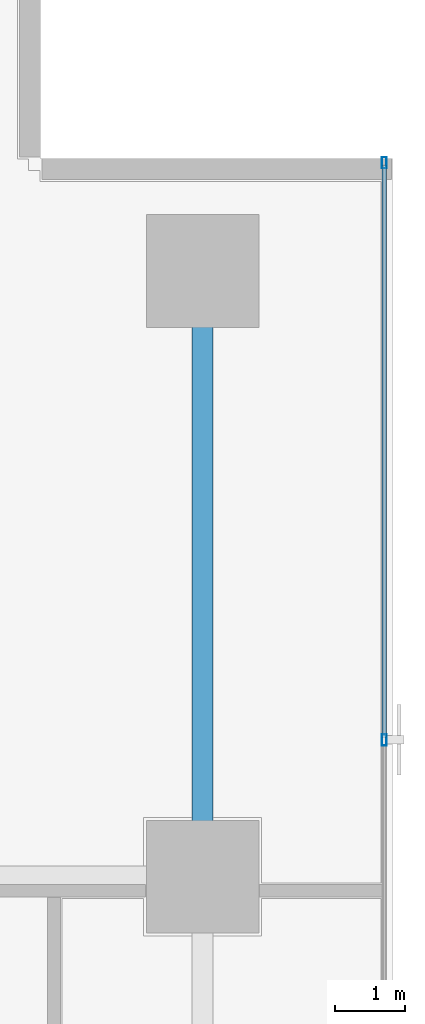
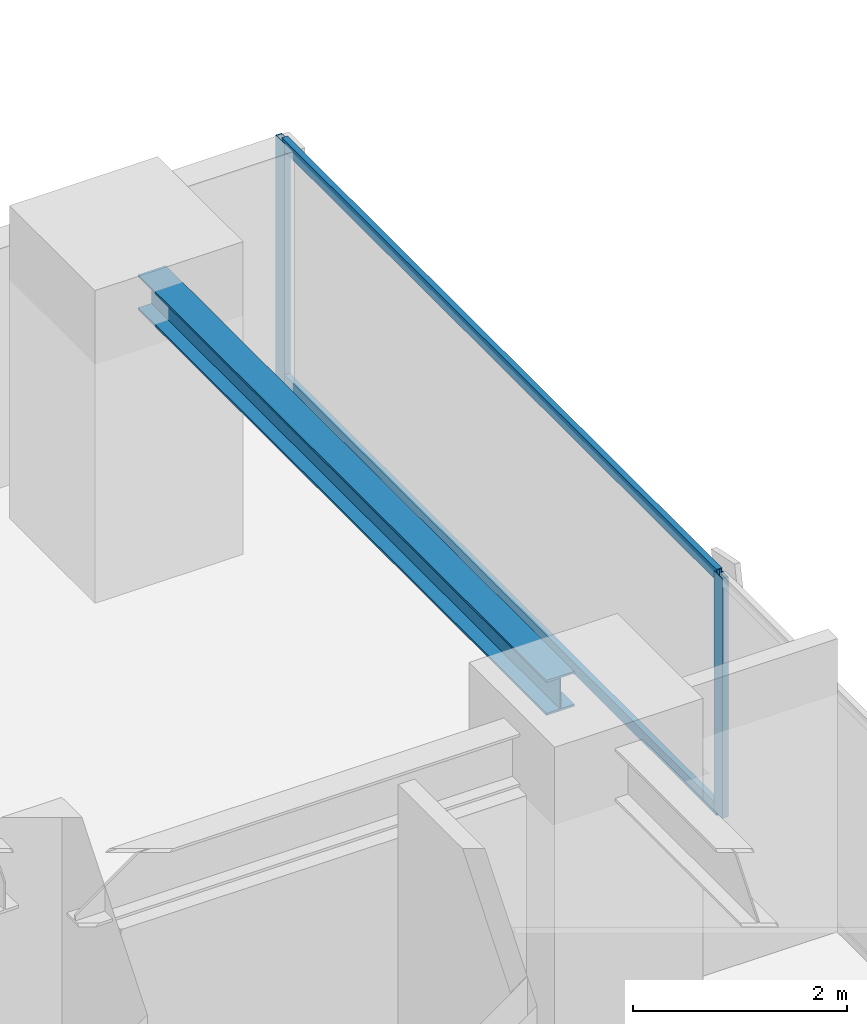
# One storey, part 24 of 37: 4 members, 1 beam, 1 element without a shape of its own.
"""IFC4 building model written with IfcOpenShell, lengths in metres."""

import ifcopenshell
import ifcopenshell.guid

model = None  # the IFC model being written
_history = None  # IfcOwnerHistory: only IFC2X3 demands one
_inside = {}  # id of a spatial element -> (the spatial element, [elements in it])
_under = {}  # id of a project, library or spatial element -> (it, [spatial elements below it])
_declared = {}  # id of a project -> (the project, [libraries it declares])
_typed = {}  # id of a type object -> (the type object, [elements of that type])
_made_of = {}  # id of a material, layer set ... -> (it, [elements and type objects made of it])


def new_model(schema):
    """Start an empty IFC model of exactly this schema.

    Asked for "IFC4X3", IfcOpenShell would pick the latest addendum, in which some entities
    have other attributes; the version numbers below select the first issue.
    IFC2X3 requires an IfcOwnerHistory on every rooted entity: one is made here for all.
    """
    global model, _history
    if schema == "IFC4X3":
        model = ifcopenshell.file(schema_version=(4, 3, 0, 0))
    else:
        model = ifcopenshell.file(schema=schema)
    _inside.clear()
    _under.clear()
    _declared.clear()
    _typed.clear()
    _made_of.clear()
    _history = None
    if model.schema == "IFC2X3":
        org = make("IfcOrganization", Name="unknown")
        user = make(
            "IfcPersonAndOrganization",
            ThePerson=make("IfcPerson", FamilyName="unknown"),
            TheOrganization=org,
        )
        app = make(
            "IfcApplication",
            ApplicationDeveloper=org,
            Version="unknown",
            ApplicationFullName="unknown",
            ApplicationIdentifier="unknown",
        )
        _history = make(
            "IfcOwnerHistory",
            OwningUser=user,
            OwningApplication=app,
            ChangeAction="ADDED",
            CreationDate=0,
        )
    return model


def make(cls, **values):
    """One entity of the class cls with the attributes given. An attribute that is None is left unset."""
    return model.create_entity(
        cls, **{name: value for name, value in values.items() if value is not None}
    )


def rooted(cls, **values):
    """An entity with a GlobalId (a new one), such as an element, a storey or a relation."""
    return make(cls, GlobalId=ifcopenshell.guid.new(), OwnerHistory=_history, **values)


def si_unit(unit_type, name, prefix=None):
    """IfcSIUnit, for example si_unit("LENGTHUNIT", "METRE", prefix="MILLI")."""
    return make("IfcSIUnit", UnitType=unit_type, Prefix=prefix, Name=name)


def assignment(units):
    """IfcUnitAssignment: the units of a project."""
    return None if units is None else make("IfcUnitAssignment", Units=units)


def point(xyz):
    """IfcCartesianPoint."""
    return None if xyz is None else make("IfcCartesianPoint", Coordinates=xyz)


def direction(xyz):
    """IfcDirection."""
    return None if xyz is None else make("IfcDirection", DirectionRatios=xyz)


def frame(location, z_axis=None, x_axis=None):
    """IfcAxis2Placement3D, a coordinate frame: its origin and axes. An axis left out is left unset."""
    return make(
        "IfcAxis2Placement3D",
        Location=point(location),
        Axis=direction(z_axis),
        RefDirection=direction(x_axis),
    )


def frame_2d(location, x_axis=None):
    """IfcAxis2Placement2D, a coordinate frame in the plane: its origin and x axis."""
    return make(
        "IfcAxis2Placement2D", Location=point(location), RefDirection=direction(x_axis)
    )


def origin():
    """The frame at (0, 0, 0) with its axes left unset."""
    return frame((0.0, 0.0, 0.0))


def origin_2d():
    """The frame at (0, 0) in the plane with its x axis left unset."""
    return frame_2d((0.0, 0.0))


def place(relative_to, where):
    """IfcLocalPlacement: puts the frame where relative to a parent placement (None: the world)."""
    return make(
        "IfcLocalPlacement", PlacementRelTo=relative_to, RelativePlacement=where
    )


def context(
    kind, dimensions, precision=None, world=None, true_north=None, identifier=None
):
    """IfcGeometricRepresentationContext, for example the 3D "Model" context."""
    return make(
        "IfcGeometricRepresentationContext",
        ContextIdentifier=identifier,
        ContextType=kind,
        CoordinateSpaceDimension=dimensions,
        Precision=precision,
        WorldCoordinateSystem=world,
        TrueNorth=true_north,
    )


def subcontext(parent, identifier, kind, view, scale=None):
    """IfcGeometricRepresentationSubContext, for example "Body" below "Model"."""
    return make(
        "IfcGeometricRepresentationSubContext",
        ContextIdentifier=identifier,
        ContextType=kind,
        ParentContext=parent,
        TargetScale=scale,
        TargetView=view,
    )


def project(units=None, contexts=None):
    """IfcProject with its units and contexts."""
    return rooted(
        "IfcProject",
        Name="project",
        RepresentationContexts=contexts,
        UnitsInContext=assignment(units),
    )


def spatial(cls, under=None, at=None, **own):
    """A site, building, storey or space (cls), placed at a placement, below another one or the project."""
    s = rooted(cls, ObjectPlacement=at, **own)
    if under is not None:
        _under.setdefault(under.id(), (under, []))[1].append(s)
    return s


def profile(cls, at=None, kind="AREA", **sizes):
    """A parametric profile (cls). Its sizes go by their IFC names, for example OverallWidth=200.0."""
    return make(cls, ProfileType=kind, Position=at, **sizes)


def hollow_rectangle(**sizes):
    """IfcRectangleHollowProfileDef."""
    return profile("IfcRectangleHollowProfileDef", **sizes)


def i_section(**sizes):
    """IfcIShapeProfileDef."""
    return profile("IfcIShapeProfileDef", **sizes)


def extrude(swept, where, along, depth):
    """IfcExtrudedAreaSolid: the profile swept, set in the frame where, extruded along a direction by depth."""
    return make(
        "IfcExtrudedAreaSolid",
        SweptArea=swept,
        Position=where,
        ExtrudedDirection=direction(along),
        Depth=depth,
    )


def shape(context_of_items, identifier, shape_type, items):
    """IfcShapeRepresentation: the items that make up one representation, for example the "Body"."""
    return make(
        "IfcShapeRepresentation",
        ContextOfItems=context_of_items,
        RepresentationIdentifier=identifier,
        RepresentationType=shape_type,
        Items=items,
    )


def source(mapping_origin, context_of_items, identifier, shape_type, items):
    """IfcRepresentationMap: a shape defined once, which mapped items show again and again."""
    return make(
        "IfcRepresentationMap",
        MappingOrigin=mapping_origin,
        MappedRepresentation=shape(context_of_items, identifier, shape_type, items),
    )


def transform(
    local_origin,
    x_axis=None,
    y_axis=None,
    z_axis=None,
    scale=None,
    scale2=None,
    scale3=None,
    uniform=True,
):
    """IfcCartesianTransformationOperator3D, or its non-uniform kind. x_axis, y_axis, z_axis: its Axis1, 2, 3."""
    if uniform:
        return make(
            "IfcCartesianTransformationOperator3D",
            Axis1=direction(x_axis),
            Axis2=direction(y_axis),
            LocalOrigin=point(local_origin),
            Scale=scale,
            Axis3=direction(z_axis),
        )
    return make(
        "IfcCartesianTransformationOperator3DnonUniform",
        Axis1=direction(x_axis),
        Axis2=direction(y_axis),
        LocalOrigin=point(local_origin),
        Scale=scale,
        Axis3=direction(z_axis),
        Scale2=scale2,
        Scale3=scale3,
    )


def mapped(mapping_source, mapping_target):
    """IfcMappedItem: shows the shape of a source again, moved by a transform."""
    return make(
        "IfcMappedItem", MappingSource=mapping_source, MappingTarget=mapping_target
    )


def material(Name=None, Category=None):
    """IfcMaterial."""
    return make("IfcMaterial", Name=Name, Category=Category)


def layer(
    of_material, thickness, ventilated=None, Name=None, Category=None, Priority=None
):
    """IfcMaterialLayer: one layer of a wall or slab, of a material (None: an air gap)."""
    return make(
        "IfcMaterialLayer",
        Material=of_material,
        LayerThickness=thickness,
        IsVentilated=ventilated,
        Name=Name,
        Category=Category,
        Priority=Priority,
    )


def layer_set(layers, Name=None):
    """IfcMaterialLayerSet."""
    return make("IfcMaterialLayerSet", MaterialLayers=layers, LayerSetName=Name)


def material_profile(
    of_material, cross_section, Name=None, Category=None, Priority=None
):
    """IfcMaterialProfile: a cross section and its material."""
    return make(
        "IfcMaterialProfile",
        Name=Name,
        Material=of_material,
        Profile=cross_section,
        Priority=Priority,
        Category=Category,
    )


def profile_set(profiles, Name=None, composite=None):
    """IfcMaterialProfileSet."""
    return make(
        "IfcMaterialProfileSet",
        Name=Name,
        MaterialProfiles=profiles,
        CompositeProfile=composite,
    )


def made_of(thing, what):
    """Note that an element or type object is made of a material, layer set ...; save() writes the relation."""
    if what is not None:
        _made_of.setdefault(what.id(), (what, []))[1].append(thing)
    return thing


def type_object(cls, material=None, **own):
    """A type object (cls), such as IfcWallType, which elements share."""
    return made_of(rooted(cls, **own), material)


def element(
    cls,
    number,
    at=None,
    inside=None,
    cuts=None,
    type_object=None,
    material=None,
    context=None,
    identifier="Body",
    shape_type=None,
    held_by="IfcProductDefinitionShape",
    body=None,
    shapes=None,
    **own,
):
    """One element of the class cls, such as IfcWall. Its Tag is "e" and its number.

    at: its placement. inside: the storey or other place that contains it. cuts: it is an
    opening in that element (IfcRelVoidsElement). A single representation is given by context,
    identifier, shape_type and body (its items); several are given by shapes. held_by: the class
    of the entity that holds the representations. save() writes the other relations.
    """
    e = rooted(cls, Tag="e%d" % number, ObjectPlacement=at, **own)
    if body is not None:
        shapes = [shape(context, identifier, shape_type, body)]
    if shapes is not None:
        e.Representation = make(held_by, Representations=shapes)
    if inside is not None:
        _inside.setdefault(inside.id(), (inside, []))[1].append(e)
    if cuts is not None:
        rooted(
            "IfcRelVoidsElement", RelatingBuildingElement=cuts, RelatedOpeningElement=e
        )
    if type_object is not None:
        _typed.setdefault(type_object.id(), (type_object, []))[1].append(e)
    return made_of(e, material)


def aggregate(whole, parts):
    """IfcRelAggregates: a whole, such as a stair, and the parts it consists of."""
    return rooted("IfcRelAggregates", RelatingObject=whole, RelatedObjects=parts)


def save(model, path):
    """Write the relations noted so far, then the file.

    IfcRelAggregates (storeys below a building ...), IfcRelContainedInSpatialStructure (elements
    in a storey), IfcRelDefinesByType, IfcRelAssociatesMaterial and IfcRelDeclares: one each for
    every whole, place, type object, material and project.
    """
    for whole, parts in _under.values():
        aggregate(whole, parts)
    for where, things in _inside.values():
        rooted(
            "IfcRelContainedInSpatialStructure",
            RelatedElements=things,
            RelatingStructure=where,
        )
    for kind, things in _typed.values():
        rooted("IfcRelDefinesByType", RelatedObjects=things, RelatingType=kind)
    for what, things in _made_of.values():
        rooted("IfcRelAssociatesMaterial", RelatedObjects=things, RelatingMaterial=what)
    for by, libraries in _declared.values():
        rooted("IfcRelDeclares", RelatingContext=by, RelatedDefinitions=libraries)
    model.write(path)


model = new_model("IFC4")

# Units and contexts
model_context = context("Model", 3, precision=1e-05, world=origin(), true_north=direction((0.0, 1.0)))
body_context = subcontext(model_context, "Body", "Model", "MODEL_VIEW")
ifc_project = project(units=[si_unit("LENGTHUNIT", "METRE"), si_unit("AREAUNIT", "SQUARE_METRE"), si_unit("VOLUMEUNIT", "CUBIC_METRE"), si_unit("PLANEANGLEUNIT", "RADIAN"), si_unit("MASSUNIT", "GRAM", prefix="KILO")], contexts=[model_context])

# Site, building, storey
site_placement = place(None, origin())
site = spatial("IfcSite", under=ifc_project, at=site_placement, CompositionType="ELEMENT")
building_placement = place(site_placement, origin())
building = spatial("IfcBuilding", under=site, at=building_placement, Name="Sumidabori Civic Tower", CompositionType="ELEMENT")
storey_placement = place(building_placement, frame((0.0, 0.0, 117.199951171875)))
storey = spatial("IfcBuildingStorey", under=building, at=storey_placement, Name="L30", CompositionType="ELEMENT", Elevation=117.199951171875)

# Beam
ifc_material_1 = material(Name="Steel SN490", Category="steel")
ifc_material_profile_1 = material_profile(ifc_material_1, i_section(OverallWidth=0.300048828125, OverallDepth=0.39990234375, WebThickness=0.013427734375, FlangeThickness=0.02392578125, at=origin_2d()), Name="HE 400 B")
ifc_profile_set_1 = profile_set([ifc_material_profile_1], Name="Steel SN490")
beam_type = type_object("IfcBeamType", Name="BM-GIRD-400", PredefinedType="BEAM", material=ifc_profile_set_1)
shared_shape_1 = source(origin(), body_context, "Body", "SweptSolid", [
    extrude(i_section(OverallWidth=0.300048828125, OverallDepth=0.39990234375, WebThickness=0.013427734375, FlangeThickness=0.02392578125, at=origin_2d()), origin(), (0.0, 0.0, 1.0), 7.64013671875),
])
beam_placement = place(storey_placement, frame((22.800048828125, 10.679931640625, 3.16015625), z_axis=(0.0, 1.0, 0.0), x_axis=(-1.0, 0.0, 0.0)))
element("IfcBeam", 1, at=beam_placement, inside=storey, type_object=beam_type, Name="Primary Girder L30 GY-42", PredefinedType="BEAM", context=body_context, shape_type="MappedRepresentation", body=[
    mapped(shared_shape_1, transform((0.0, 0.0, 0.0), x_axis=(1.0, 0.0, 0.0), y_axis=(0.0, 1.0, 0.0), z_axis=(0.0, 0.0, 1.0), scale=1.0)),
])

# Curtain wall, members
ifc_material_2 = material(Name="Anodised Bronze Aluminium AW-6063-T6", Category="aluminium")
ifc_layer = layer(ifc_material_2, 0.179931640625, Name="Anodised Bronze Aluminium AW-6063-T6")
ifc_layer_set = layer_set([ifc_layer], Name="Anodised Bronze Aluminium AW-6063-T6")
curtain_wall_type = type_object("IfcCurtainWallType", Name="CW-SYS-3", PredefinedType="NOTDEFINED", material=ifc_layer_set)
curtain_wall_placement = place(storey_placement, origin())
curtain_wall = element("IfcCurtainWall", 2, at=curtain_wall_placement, inside=storey, type_object=curtain_wall_type, Name="Curtain Wall CW:L30:R04", PredefinedType="NOTDEFINED")
ifc_material_profile_2 = material_profile(ifc_material_2, hollow_rectangle(XDim=0.06494140625, YDim=0.159912109375, WallThickness=0.0048828125, at=origin_2d()), Name="ALU MULLION 160x65")
ifc_profile_set_2 = profile_set([ifc_material_profile_2], Name="Anodised Bronze Aluminium AW-6063-T6")
member_type_1 = type_object("IfcMemberType", Name="CW-MUL-160", PredefinedType="MULLION", material=ifc_profile_set_2)
shared_shape_2 = source(origin(), body_context, "Body", "SweptSolid", [
    extrude(hollow_rectangle(XDim=0.06494140625, YDim=0.159912109375, WallThickness=0.0048828125, at=origin_2d()), origin(), (0.0, 0.0, 1.0), 2.739990234375),
])
member_1_placement = place(storey_placement, frame((25.3798828125, 12.14208984375, 0.0), z_axis=(0.0, 0.0, 1.0), x_axis=(-1.0, 0.0, 0.0)))
member_1 = element("IfcMember", 3, at=member_1_placement, type_object=member_type_1, Name="CW-3 mullion 5", PredefinedType="MULLION", context=body_context, shape_type="MappedRepresentation", body=[
    mapped(shared_shape_2, transform((0.0, 0.0, 0.0), x_axis=(1.0, 0.0, 0.0), y_axis=(0.0, 1.0, 0.0), z_axis=(0.0, 0.0, 1.0), scale=1.0)),
])
member_2_placement = place(storey_placement, frame((25.3798828125, 20.33740234375, 0.0), z_axis=(0.0, 0.0, 1.0), x_axis=(-1.0, 0.0, 0.0)))
member_2 = element("IfcMember", 4, at=member_2_placement, type_object=member_type_1, Name="CW-3 mullion 6", PredefinedType="MULLION", context=body_context, shape_type="MappedRepresentation", body=[
    mapped(shared_shape_2, transform((0.0, 0.0, 0.0), x_axis=(1.0, 0.0, 0.0), y_axis=(0.0, 1.0, 0.0), z_axis=(0.0, 0.0, 1.0), scale=1.0)),
])
ifc_material_profile_3 = material_profile(ifc_material_2, hollow_rectangle(XDim=0.06005859375, YDim=0.1298828125, WallThickness=0.0048828125, at=origin_2d()), Name="ALU TRANSOM 130x60")
ifc_profile_set_3 = profile_set([ifc_material_profile_3], Name="Anodised Bronze Aluminium AW-6063-T6")
member_type_2 = type_object("IfcMemberType", Name="CW-TRN-130", PredefinedType="USERDEFINED", material=ifc_profile_set_3)
shared_shape_3 = source(origin(), body_context, "Body", "SweptSolid", [
    extrude(hollow_rectangle(XDim=0.06005859375, YDim=0.1298828125, WallThickness=0.0048828125, at=origin_2d()), origin(), (0.0, 0.0, 1.0), 8.13037109375),
])
member_3_placement = place(storey_placement, frame((25.3798828125, 12.174560546875, 0.030029296875), z_axis=(0.0, 1.0, 0.0), x_axis=(-1.0, 0.0, 0.0)))
member_3 = element("IfcMember", 5, at=member_3_placement, type_object=member_type_2, Name="CW-3 transom 5.1", ObjectType="TRANSOM", PredefinedType="USERDEFINED", context=body_context, shape_type="MappedRepresentation", body=[
    mapped(shared_shape_3, transform((0.0, 0.0, 0.0), x_axis=(1.0, 0.0, 0.0), y_axis=(0.0, 1.0, 0.0), z_axis=(0.0, 0.0, 1.0), scale=1.0)),
])
member_4_placement = place(storey_placement, frame((25.3798828125, 12.174560546875, 2.7099609375), z_axis=(0.0, 1.0, 0.0), x_axis=(-1.0, 0.0, 0.0)))
member_4 = element("IfcMember", 6, at=member_4_placement, type_object=member_type_2, Name="CW-3 transom 5.2", ObjectType="TRANSOM", PredefinedType="USERDEFINED", context=body_context, shape_type="MappedRepresentation", body=[
    mapped(shared_shape_3, transform((0.0, 0.0, 0.0), x_axis=(1.0, 0.0, 0.0), y_axis=(0.0, 1.0, 0.0), z_axis=(0.0, 0.0, 1.0), scale=1.0)),
])
aggregate(curtain_wall, [member_1, member_2, member_3, member_4])

save(model, "model.ifc")
